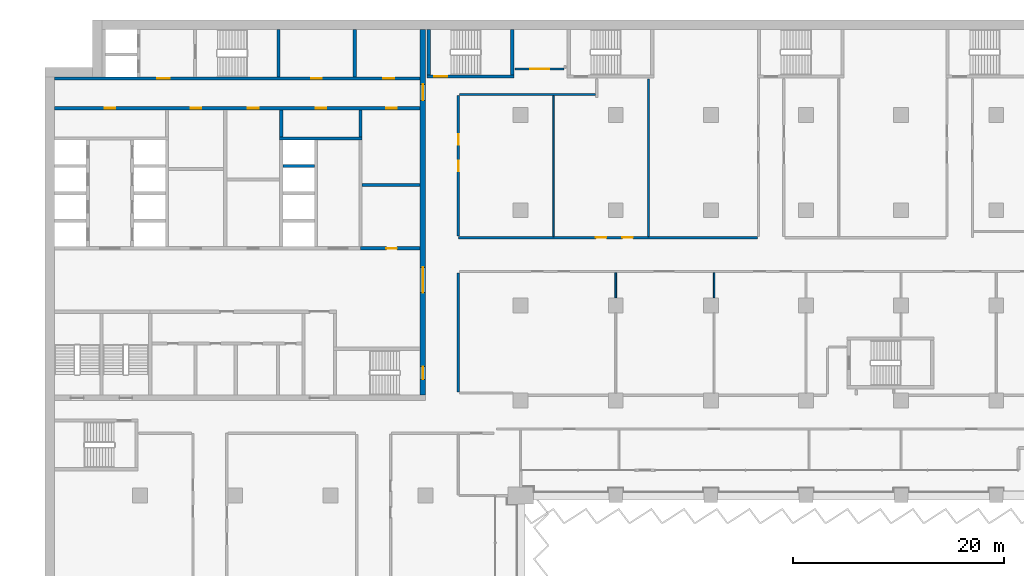
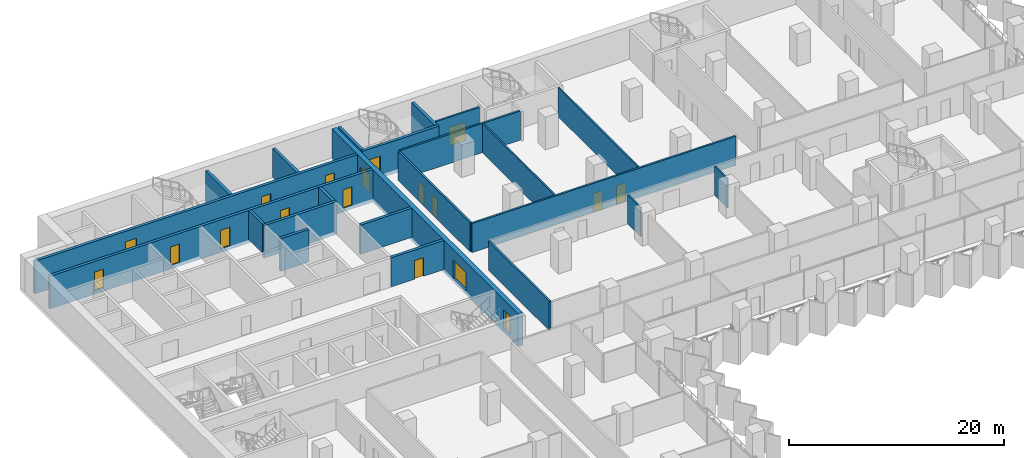
# One storey, part 16 of 29: 23 walls, 18 doors, 18 openings.
"""IFC4 building model written with IfcOpenShell, lengths in metres."""

from ifc_helpers import new_model, si_unit, direction, frame, frame_2d, origin, place, context, subcontext, project, spatial, rectangle, extrude, material, layer, layer_set, type_object, element, fill, save


model = new_model("IFC4")

# Units and contexts
model_context = context("Model", 3, precision=1e-05, world=origin(), true_north=direction((0.0, 1.0)))
body_context = subcontext(model_context, "Body", "Model", "MODEL_VIEW")
ifc_project = project(units=[si_unit("LENGTHUNIT", "METRE"), si_unit("AREAUNIT", "SQUARE_METRE"), si_unit("VOLUMEUNIT", "CUBIC_METRE"), si_unit("PLANEANGLEUNIT", "RADIAN"), si_unit("MASSUNIT", "GRAM", prefix="KILO")], contexts=[model_context])

# Site, building, storey
site_placement = place(None, origin())
site = spatial("IfcSite", under=ifc_project, at=site_placement, CompositionType="ELEMENT")
building_placement = place(site_placement, origin())
building = spatial("IfcBuilding", under=site, at=building_placement, Name="Hunhe Ridgeline Campus", CompositionType="ELEMENT")
storey_placement = place(building_placement, frame((0.0, 0.0, 69.10009765625)))
storey = spatial("IfcBuildingStorey", under=building, at=storey_placement, Name="L16", CompositionType="ELEMENT", Elevation=69.10009765625)

# Wall, opening, door
ifc_material_1 = material(Name="Masonry concrete blockwork", Category="masonry")
ifc_layer_1 = layer(ifc_material_1, 0.300048828125)
ifc_layer_set_1 = layer_set([ifc_layer_1], Name="Core room partition 300 concrete block")
wall_type_1 = type_object("IfcWallType", Name="Core room partition 300 concrete block", PredefinedType="PARTITIONING", material=ifc_layer_set_1)
wall_1_placement = place(storey_placement, frame((29.85009765625, 77.39990234375, 0.0), z_axis=(0.0, 0.0, 1.0), x_axis=(1.0, 0.0, 0.0)))
wall_1 = element("IfcWall", 1, at=wall_1_placement, inside=storey, type_object=wall_type_1, Name="L16 core partition 15", PredefinedType="PARTITIONING", context=body_context, shape_type="SweptSolid", body=[
    extrude(rectangle(XDim=5.64990234375, YDim=0.300048828125, at=frame_2d((2.824951171875, 0.0))), origin(), (0.0, 0.0, 1.0), 3.2998046875),
])
opening_1_placement = place(wall_1_placement, frame((2.449951171875, 0.0, 0.0)))
opening_1 = element("IfcOpeningElement", 2, at=opening_1_placement, cuts=wall_1, Name="Opening CD32", PredefinedType="OPENING", context=body_context, shape_type="SweptSolid", body=[
    extrude(rectangle(XDim=1.0, YDim=2.10009765625, at=frame_2d((0.5, 1.050048828125))), frame((0.0, 0.14990234375, 0.0), z_axis=(0.0, -1.0, 0.0), x_axis=(1.0, 0.0, 0.0)), (0.0, 0.0, 1.0), 0.300048828125),
])
ifc_material_2 = material(Name="Solid core timber door leaf", Category="wood")
door_type_1 = type_object("IfcDoorType", Name="Timber door 1000x2100", OperationType="SINGLE_SWING_LEFT", PredefinedType="DOOR", material=ifc_material_2)
door_1_placement = place(opening_1_placement, origin())
door_1 = element("IfcDoor", 3, at=door_1_placement, inside=storey, type_object=door_type_1, Name="L16 door ES0", OperationType="SINGLE_SWING_RIGHT", OverallHeight=2.10009765625, OverallWidth=1.0, PredefinedType="DOOR", context=body_context, shape_type="SweptSolid", body=[
    extrude(rectangle(XDim=1.0, YDim=2.10009765625, at=frame_2d((0.5, 1.050048828125))), frame((0.0, 0.02490234375, 0.0), z_axis=(0.0, -1.0, 0.0), x_axis=(1.0, 0.0, 0.0)), (0.0, 0.0, 1.0), 0.050048828125),
])
fill(opening_1, door_1)

# Walls
wall_2_placement = place(storey_placement, frame((30.0, 83.39990234375, 0.0), z_axis=(0.0, 0.0, 1.0), x_axis=(1.0, 0.0, 0.0)))
element("IfcWall", 4, at=wall_2_placement, inside=storey, type_object=wall_type_1, Name="L16 core partition 22", PredefinedType="PARTITIONING", context=body_context, shape_type="SweptSolid", body=[
    extrude(rectangle(XDim=5.5, YDim=0.300048828125, at=frame_2d((2.75, 0.0))), origin(), (0.0, 0.0, 1.0), 3.2998046875),
])
wall_3_placement = place(storey_placement, frame((22.35009765625, 87.949951171875, 0.0), z_axis=(0.0, 0.0, 1.0), x_axis=(0.0, 1.0, 0.0)))
element("IfcWall", 5, at=wall_3_placement, inside=storey, type_object=wall_type_1, Name="L16 core partition 55", PredefinedType="PARTITIONING", context=body_context, shape_type="SweptSolid", body=[
    extrude(rectangle(XDim=2.550048828125, YDim=0.300048828125, at=frame_2d((1.27490234375, 0.0))), origin(), (0.0, 0.0, 1.0), 3.2998046875),
])
wall_4_placement = place(storey_placement, frame((29.300048828125, 93.60009765625, 0.0), z_axis=(0.0, 0.0, 1.0), x_axis=(0.0, 1.0, 0.0)))
element("IfcWall", 6, at=wall_4_placement, inside=storey, type_object=wall_type_1, Name="L16 core partition 61", PredefinedType="PARTITIONING", context=body_context, shape_type="SweptSolid", body=[
    extrude(rectangle(XDim=4.5, YDim=0.300048828125, at=frame_2d((2.25, 0.0))), origin(), (0.0, 0.0, 1.0), 3.2998046875),
])
wall_5_placement = place(storey_placement, frame((29.85009765625, 87.949951171875, 0.0), z_axis=(0.0, 0.0, 1.0), x_axis=(0.0, 1.0, 0.0)))
element("IfcWall", 7, at=wall_5_placement, inside=storey, type_object=wall_type_1, Name="L16 core partition 63", PredefinedType="PARTITIONING", context=body_context, shape_type="SweptSolid", body=[
    extrude(rectangle(XDim=2.550048828125, YDim=0.300048828125, at=frame_2d((1.27490234375, 0.0))), origin(), (0.0, 0.0, 1.0), 3.2998046875),
])

# Wall, openings, doors
ifc_material_3 = material(Name="Concrete C80", Category="concrete")
ifc_layer_2 = layer(ifc_material_3, 0.5)
ifc_layer_set_2 = layer_set([ifc_layer_2], Name="Core wall 500 reinforced concrete C80")
wall_type_2 = type_object("IfcWallType", Name="Core wall 500 reinforced concrete C80", PredefinedType="SOLIDWALL", material=ifc_layer_set_2)
wall_6_placement = place(storey_placement, frame((35.75, 63.5, -0.400146484375), z_axis=(0.0, 0.0, 1.0), x_axis=(0.0, 1.0, 0.0)))
wall_6 = element("IfcWall", 8, at=wall_6_placement, inside=storey, type_object=wall_type_2, Name="L16 core wall 64", PredefinedType="SOLIDWALL", context=body_context, shape_type="SweptSolid", body=[
    extrude(rectangle(XDim=34.60009765625, YDim=0.5, at=frame_2d((17.300048828125, 0.0))), origin(), (0.0, 0.0, 1.0), 3.699951171875),
])
opening_2_placement = place(wall_6_placement, frame((9.699951171875, 0.0, 0.39990234375)))
opening_2 = element("IfcOpeningElement", 9, at=opening_2_placement, cuts=wall_6, Name="Opening CD4", PredefinedType="OPENING", context=body_context, shape_type="SweptSolid", body=[
    extrude(rectangle(XDim=2.39990234375, YDim=2.10009765625, at=frame_2d((1.199951171875, 1.050048828125))), frame((0.0, 0.25, 0.0), z_axis=(0.0, -1.0, 0.0), x_axis=(1.0, 0.0, 0.0)), (0.0, 0.0, 1.0), 0.5),
])
opening_3_placement = place(wall_6_placement, frame((27.89990234375, 0.0, 0.39990234375)))
opening_3 = element("IfcOpeningElement", 10, at=opening_3_placement, cuts=wall_6, Name="Opening CD5", PredefinedType="OPENING", context=body_context, shape_type="SweptSolid", body=[
    extrude(rectangle(XDim=1.5, YDim=2.10009765625, at=frame_2d((0.75, 1.050048828125))), frame((0.0, 0.25, 0.0), z_axis=(0.0, -1.0, 0.0), x_axis=(1.0, 0.0, 0.0)), (0.0, 0.0, 1.0), 0.5),
])
opening_4_placement = place(wall_6_placement, frame((1.5, 0.0, 0.39990234375)))
opening_4 = element("IfcOpeningElement", 11, at=opening_4_placement, cuts=wall_6, Name="Opening CD15", PredefinedType="OPENING", context=body_context, shape_type="SweptSolid", body=[
    extrude(rectangle(XDim=1.199951171875, YDim=2.10009765625, at=frame_2d((0.60009765625, 1.050048828125))), frame((0.0, 0.25, 0.0), z_axis=(0.0, -1.0, 0.0), x_axis=(1.0, 0.0, 0.0)), (0.0, 0.0, 1.0), 0.5),
])
ifc_material_4 = material(Name="Anodised aluminium and glass", Category="aluminium")
door_type_2 = type_object("IfcDoorType", Name="Glazed double door 2400x2100", OperationType="DOUBLE_DOOR_SINGLE_SWING", PredefinedType="DOOR", material=ifc_material_4)
door_2_placement = place(opening_2_placement, frame((2.39990234375, 0.0, 0.0), z_axis=(0.0, 0.0, 1.0), x_axis=(-1.0, 0.0, 0.0)))
door_2 = element("IfcDoor", 12, at=door_2_placement, inside=storey, type_object=door_type_2, Name="L16 door HALL-FLOOR", OperationType="DOUBLE_DOOR_SINGLE_SWING", OverallHeight=2.10009765625, OverallWidth=2.39990234375, PredefinedType="DOOR", context=body_context, shape_type="SweptSolid", body=[
    extrude(rectangle(XDim=2.39990234375, YDim=2.10009765625, at=frame_2d((1.199951171875, 1.050048828125))), frame((0.0, 0.02490234375, 0.0), z_axis=(0.0, -1.0, 0.0), x_axis=(1.0, 0.0, 0.0)), (0.0, 0.0, 1.0), 0.050048828125),
])
fill(opening_2, door_2)
ifc_material_5 = material(Name="Hollow metal fire door leaf")
door_type_3 = type_object("IfcDoorType", Name="Stair door 1200x2100 FD60", OperationType="SINGLE_SWING_LEFT", PredefinedType="DOOR", material=ifc_material_5)
door_3_placement = place(opening_4_placement, frame((1.199951171875, 0.0, 0.0), z_axis=(0.0, 0.0, 1.0), x_axis=(-1.0, 0.0, 0.0)))
door_3 = element("IfcDoor", 13, at=door_3_placement, inside=storey, type_object=door_type_3, Name="L16 door S2-FLOOR", OperationType="SINGLE_SWING_RIGHT", OverallHeight=2.10009765625, OverallWidth=1.199951171875, PredefinedType="DOOR", context=body_context, shape_type="SweptSolid", body=[
    extrude(rectangle(XDim=1.199951171875, YDim=2.10009765625, at=frame_2d((0.60009765625, 1.050048828125))), frame((0.0, 0.02490234375, 0.0), z_axis=(0.0, -1.0, 0.0), x_axis=(1.0, 0.0, 0.0)), (0.0, 0.0, 1.0), 0.050048828125),
])
fill(opening_4, door_3)
door_type_4 = type_object("IfcDoorType", Name="Timber door 1500x2100", OperationType="SINGLE_SWING_LEFT", PredefinedType="DOOR", material=ifc_material_2)
door_4_placement = place(opening_3_placement, frame((1.5, 0.0, 0.0), z_axis=(0.0, 0.0, 1.0), x_axis=(-1.0, 0.0, 0.0)))
door_4 = element("IfcDoor", 14, at=door_4_placement, inside=storey, type_object=door_type_4, Name="L16 door C1-FLOOR", OperationType="SINGLE_SWING_RIGHT", OverallHeight=2.10009765625, OverallWidth=1.5, PredefinedType="DOOR", context=body_context, shape_type="SweptSolid", body=[
    extrude(rectangle(XDim=1.5, YDim=2.10009765625, at=frame_2d((0.75, 1.050048828125))), frame((0.0, 0.02490234375, 0.0), z_axis=(0.0, -1.0, 0.0), x_axis=(1.0, 0.0, 0.0)), (0.0, 0.0, 1.0), 0.050048828125),
])
fill(opening_3, door_4)

ifc_material_6 = material(Name="Gypsum board partition")
ifc_layer_3 = layer(ifc_material_6, 0.199951171875)
ifc_layer_set_3 = layer_set([ifc_layer_3], Name="Corridor partition 200 gypsum board on steel studs")
wall_type_3 = type_object("IfcWallType", Name="Corridor partition 200 gypsum board on steel studs", PredefinedType="PARTITIONING", material=ifc_layer_set_3)
wall_7_placement = place(storey_placement, frame((39.10009765625, 78.39990234375, 0.0), z_axis=(0.0, 0.0, 1.0), x_axis=(1.0, 0.0, 0.0)))
wall_7 = element("IfcWall", 15, at=wall_7_placement, inside=storey, type_object=wall_type_3, Name="F-L16-wall-044", PredefinedType="PARTITIONING", context=body_context, shape_type="SweptSolid", body=[
    extrude(rectangle(XDim=28.2998046875, YDim=0.199951171875, at=frame_2d((14.14990234375, 0.0))), origin(), (0.0, 0.0, 1.0), 3.2998046875),
])
opening_5_placement = place(wall_7_placement, frame((13.02392578125, 0.0, 0.0)))
opening_5 = element("IfcOpeningElement", 16, at=opening_5_placement, cuts=wall_7, Name="Opening RD1-036", PredefinedType="OPENING", context=body_context, shape_type="SweptSolid", body=[
    extrude(rectangle(XDim=1.0, YDim=2.10009765625, at=frame_2d((0.5, 1.050048828125))), frame((0.0, 0.10009765625, 0.0), z_axis=(0.0, -1.0, 0.0), x_axis=(1.0, 0.0, 0.0)), (0.0, 0.0, 1.0), 0.199951171875),
])
opening_6_placement = place(wall_7_placement, frame((15.52392578125, 0.0, 0.0)))
opening_6 = element("IfcOpeningElement", 17, at=opening_6_placement, cuts=wall_7, Name="Opening RD1-037", PredefinedType="OPENING", context=body_context, shape_type="SweptSolid", body=[
    extrude(rectangle(XDim=1.0, YDim=2.10009765625, at=frame_2d((0.5, 1.050048828125))), frame((0.0, 0.10009765625, 0.0), z_axis=(0.0, -1.0, 0.0), x_axis=(1.0, 0.0, 0.0)), (0.0, 0.0, 1.0), 0.199951171875),
])
ifc_material_7 = material(Name="Timber door leaf", Category="wood")
door_type_5 = type_object("IfcDoorType", Name="Single fire door 1000x2100 timber FD60", OperationType="NOTDEFINED", PredefinedType="DOOR", material=ifc_material_7)
door_5_placement = place(opening_5_placement, frame((1.0, 0.0, 0.0), z_axis=(0.0, 0.0, 1.0), x_axis=(-1.0, 0.0, 0.0)))
door_5 = element("IfcDoor", 18, at=door_5_placement, inside=storey, type_object=door_type_5, Name="F-L16-door-036", OperationType="SINGLE_SWING_LEFT", OverallHeight=2.10009765625, OverallWidth=1.0, PredefinedType="DOOR", context=body_context, shape_type="SweptSolid", body=[
    extrude(rectangle(XDim=1.0, YDim=2.10009765625, at=frame_2d((0.5, 1.050048828125))), frame((0.0, 0.02490234375, 0.0), z_axis=(0.0, -1.0, 0.0), x_axis=(1.0, 0.0, 0.0)), (0.0, 0.0, 1.0), 0.050048828125),
])
fill(opening_5, door_5)
door_6_placement = place(opening_6_placement, frame((1.0, 0.0, 0.0), z_axis=(0.0, 0.0, 1.0), x_axis=(-1.0, 0.0, 0.0)))
door_6 = element("IfcDoor", 19, at=door_6_placement, inside=storey, type_object=door_type_5, Name="F-L16-door-037", OperationType="SINGLE_SWING_LEFT", OverallHeight=2.10009765625, OverallWidth=1.0, PredefinedType="DOOR", context=body_context, shape_type="SweptSolid", body=[
    extrude(rectangle(XDim=1.0, YDim=2.10009765625, at=frame_2d((0.5, 1.050048828125))), frame((0.0, 0.02490234375, 0.0), z_axis=(0.0, -1.0, 0.0), x_axis=(1.0, 0.0, 0.0)), (0.0, 0.0, 1.0), 0.050048828125),
])
fill(opening_6, door_6)

# Wall
wall_8_placement = place(storey_placement, frame((52.10009765625, 91.949951171875, 0.0), z_axis=(0.0, 0.0, 1.0), x_axis=(-1.0, 0.0, 0.0)))
element("IfcWall", 20, at=wall_8_placement, inside=storey, type_object=wall_type_3, Name="F-L16-wall-048", PredefinedType="PARTITIONING", context=body_context, shape_type="SweptSolid", body=[
    extrude(rectangle(XDim=12.900146484375, YDim=0.199951171875, at=frame_2d((6.4501953125, 0.0))), origin(), (0.0, 0.0, 1.0), 3.2998046875),
])

# Wall, opening, door
wall_9_placement = place(storey_placement, frame((44.4541015625, 94.35009765625, 0.0), z_axis=(0.0, 0.0, 1.0), x_axis=(1.0, 0.0, 0.0)))
wall_9 = element("IfcWall", 21, at=wall_9_placement, inside=storey, type_object=wall_type_3, Name="F-L16-wall-049", PredefinedType="PARTITIONING", context=body_context, shape_type="SweptSolid", body=[
    extrude(rectangle(XDim=4.6708984375, YDim=0.199951171875, at=frame_2d((2.33544921875, 0.0))), origin(), (0.0, 0.0, 1.0), 3.2998046875),
])
opening_7_placement = place(wall_9_placement, frame((1.435546875, 0.0, 0.0)))
opening_7 = element("IfcOpeningElement", 22, at=opening_7_placement, cuts=wall_9, Name="Opening RD2-048", PredefinedType="OPENING", context=body_context, shape_type="SweptSolid", body=[
    extrude(rectangle(XDim=1.800048828125, YDim=2.10009765625, at=frame_2d((0.89990234375, 1.050048828125))), frame((0.0, 0.10009765625, 0.0), z_axis=(0.0, -1.0, 0.0), x_axis=(1.0, 0.0, 0.0)), (0.0, 0.0, 1.0), 0.199951171875),
])
door_type_6 = type_object("IfcDoorType", Name="Double fire door 1800x2100 timber FD60", OperationType="DOUBLE_DOOR_SINGLE_SWING", PredefinedType="DOOR", material=ifc_material_7)
door_7_placement = place(opening_7_placement, origin())
door_7 = element("IfcDoor", 23, at=door_7_placement, inside=storey, type_object=door_type_6, Name="F-L16-door-048", OperationType="DOUBLE_DOOR_SINGLE_SWING", OverallHeight=2.10009765625, OverallWidth=1.800048828125, PredefinedType="DOOR", context=body_context, shape_type="SweptSolid", body=[
    extrude(rectangle(XDim=1.800048828125, YDim=2.10009765625, at=frame_2d((0.89990234375, 1.050048828125))), frame((0.0, 0.02490234375, 0.0), z_axis=(0.0, -1.0, 0.0), x_axis=(1.0, 0.0, 0.0)), (0.0, 0.0, 1.0), 0.050048828125),
])
fill(opening_7, door_7)

# Wall
wall_10_placement = place(storey_placement, frame((39.10009765625, 75.08349609375, 0.0), z_axis=(0.0, 0.0, 1.0), x_axis=(0.0, -1.0, 0.0)))
element("IfcWall", 24, at=wall_10_placement, inside=storey, type_object=wall_type_3, Name="F-L16-wall-059", PredefinedType="PARTITIONING", context=body_context, shape_type="SweptSolid", body=[
    extrude(rectangle(XDim=11.283447265625, YDim=0.199951171875, at=frame_2d((5.6416015625, 0.0))), origin(), (0.0, 0.0, 1.0), 3.2998046875),
])

# Wall, openings, doors
wall_11_placement = place(storey_placement, frame((39.10009765625, 91.85009765625, 0.0), z_axis=(0.0, 0.0, 1.0), x_axis=(0.0, -1.0, 0.0)))
wall_11 = element("IfcWall", 25, at=wall_11_placement, inside=storey, type_object=wall_type_3, Name="F-L16-wall-060", PredefinedType="PARTITIONING", context=body_context, shape_type="SweptSolid", body=[
    extrude(rectangle(XDim=13.302001953125, YDim=0.199951171875, at=frame_2d((6.65087890625, 0.0))), origin(), (0.0, 0.0, 1.0), 3.2998046875),
])
opening_8_placement = place(wall_11_placement, frame((6.15087890625, 0.0, 0.0)))
opening_8 = element("IfcOpeningElement", 26, at=opening_8_placement, cuts=wall_11, Name="Opening RD1-038", PredefinedType="OPENING", context=body_context, shape_type="SweptSolid", body=[
    extrude(rectangle(XDim=1.0, YDim=2.10009765625, at=frame_2d((0.5, 1.050048828125))), frame((0.0, 0.10009765625, 0.0), z_axis=(0.0, -1.0, 0.0), x_axis=(1.0, 0.0, 0.0)), (0.0, 0.0, 1.0), 0.199951171875),
])
opening_9_placement = place(wall_11_placement, frame((3.65087890625, 0.0, 0.0)))
opening_9 = element("IfcOpeningElement", 27, at=opening_9_placement, cuts=wall_11, Name="Opening RD1-043", PredefinedType="OPENING", context=body_context, shape_type="SweptSolid", body=[
    extrude(rectangle(XDim=1.0, YDim=2.10009765625, at=frame_2d((0.5, 1.050048828125))), frame((0.0, 0.10009765625, 0.0), z_axis=(0.0, -1.0, 0.0), x_axis=(1.0, 0.0, 0.0)), (0.0, 0.0, 1.0), 0.199951171875),
])
door_8_placement = place(opening_8_placement, frame((1.0, 0.0, 0.0), z_axis=(0.0, 0.0, 1.0), x_axis=(-1.0, 0.0, 0.0)))
door_8 = element("IfcDoor", 28, at=door_8_placement, inside=storey, type_object=door_type_5, Name="F-L16-door-038", OperationType="SINGLE_SWING_RIGHT", OverallHeight=2.10009765625, OverallWidth=1.0, PredefinedType="DOOR", context=body_context, shape_type="SweptSolid", body=[
    extrude(rectangle(XDim=1.0, YDim=2.10009765625, at=frame_2d((0.5, 1.050048828125))), frame((0.0, 0.02490234375, 0.0), z_axis=(0.0, -1.0, 0.0), x_axis=(1.0, 0.0, 0.0)), (0.0, 0.0, 1.0), 0.050048828125),
])
fill(opening_8, door_8)
door_9_placement = place(opening_9_placement, frame((1.0, 0.0, 0.0), z_axis=(0.0, 0.0, 1.0), x_axis=(-1.0, 0.0, 0.0)))
door_9 = element("IfcDoor", 29, at=door_9_placement, inside=storey, type_object=door_type_5, Name="F-L16-door-043", OperationType="SINGLE_SWING_RIGHT", OverallHeight=2.10009765625, OverallWidth=1.0, PredefinedType="DOOR", context=body_context, shape_type="SweptSolid", body=[
    extrude(rectangle(XDim=1.0, YDim=2.10009765625, at=frame_2d((0.5, 1.050048828125))), frame((0.0, 0.02490234375, 0.0), z_axis=(0.0, -1.0, 0.0), x_axis=(1.0, 0.0, 0.0)), (0.0, 0.0, 1.0), 0.050048828125),
])
fill(opening_9, door_9)

ifc_layer_4 = layer(ifc_material_3, 0.300048828125)
ifc_layer_set_4 = layer_set([ifc_layer_4], Name="Lobby wall 300 reinforced concrete C80")
wall_type_4 = type_object("IfcWallType", Name="Lobby wall 300 reinforced concrete C80", PredefinedType="SOLIDWALL", material=ifc_layer_set_4)
wall_12_placement = place(storey_placement, frame((0.89990234375, 90.64990234375, -0.400146484375), z_axis=(0.0, 0.0, 1.0), x_axis=(1.0, 0.0, 0.0)))
wall_12 = element("IfcWall", 30, at=wall_12_placement, inside=storey, type_object=wall_type_4, Name="L16 core wall 30", PredefinedType="SOLIDWALL", context=body_context, shape_type="SweptSolid", body=[
    extrude(rectangle(XDim=34.60009765625, YDim=0.300048828125, at=frame_2d((17.300048828125, 0.0))), origin(), (0.0, 0.0, 1.0), 3.699951171875),
])
opening_10_placement = place(wall_12_placement, frame((4.75, 0.0, 0.39990234375)))
opening_10 = element("IfcOpeningElement", 31, at=opening_10_placement, cuts=wall_12, Name="Opening CD26", PredefinedType="OPENING", context=body_context, shape_type="SweptSolid", body=[
    extrude(rectangle(XDim=1.0, YDim=2.10009765625, at=frame_2d((0.5, 1.050048828125))), frame((0.0, 0.14990234375, 0.0), z_axis=(0.0, -1.0, 0.0), x_axis=(1.0, 0.0, 0.0)), (0.0, 0.0, 1.0), 0.300048828125),
])
opening_11_placement = place(wall_12_placement, frame((24.699951171875, 0.0, 0.39990234375)))
opening_11 = element("IfcOpeningElement", 32, at=opening_11_placement, cuts=wall_12, Name="Opening CD27", PredefinedType="OPENING", context=body_context, shape_type="SweptSolid", body=[
    extrude(rectangle(XDim=1.0, YDim=2.10009765625, at=frame_2d((0.5, 1.050048828125))), frame((0.0, 0.14990234375, 0.0), z_axis=(0.0, -1.0, 0.0), x_axis=(1.0, 0.0, 0.0)), (0.0, 0.0, 1.0), 0.300048828125),
])
opening_12_placement = place(wall_12_placement, frame((12.89990234375, 0.0, 0.39990234375)))
opening_12 = element("IfcOpeningElement", 33, at=opening_12_placement, cuts=wall_12, Name="Opening CD29", PredefinedType="OPENING", context=body_context, shape_type="SweptSolid", body=[
    extrude(rectangle(XDim=1.0, YDim=2.10009765625, at=frame_2d((0.5, 1.050048828125))), frame((0.0, 0.14990234375, 0.0), z_axis=(0.0, -1.0, 0.0), x_axis=(1.0, 0.0, 0.0)), (0.0, 0.0, 1.0), 0.300048828125),
])
opening_13_placement = place(wall_12_placement, frame((18.300048828125, 0.0, 0.39990234375)))
opening_13 = element("IfcOpeningElement", 34, at=opening_13_placement, cuts=wall_12, Name="Opening CD31", PredefinedType="OPENING", context=body_context, shape_type="SweptSolid", body=[
    extrude(rectangle(XDim=1.0, YDim=2.10009765625, at=frame_2d((0.5, 1.050048828125))), frame((0.0, 0.14990234375, 0.0), z_axis=(0.0, -1.0, 0.0), x_axis=(1.0, 0.0, 0.0)), (0.0, 0.0, 1.0), 0.300048828125),
])
opening_14_placement = place(wall_12_placement, frame((31.39990234375, 0.0, 0.39990234375)))
opening_14 = element("IfcOpeningElement", 35, at=opening_14_placement, cuts=wall_12, Name="Opening CD33", PredefinedType="OPENING", context=body_context, shape_type="SweptSolid", body=[
    extrude(rectangle(XDim=1.0, YDim=2.10009765625, at=frame_2d((0.5, 1.050048828125))), frame((0.0, 0.14990234375, 0.0), z_axis=(0.0, -1.0, 0.0), x_axis=(1.0, 0.0, 0.0)), (0.0, 0.0, 1.0), 0.300048828125),
])
door_10_placement = place(opening_10_placement, frame((1.0, 0.0, 0.0), z_axis=(0.0, 0.0, 1.0), x_axis=(-1.0, 0.0, 0.0)))
door_10 = element("IfcDoor", 36, at=door_10_placement, inside=storey, type_object=door_type_1, Name="L16 door NR-0", OperationType="SINGLE_SWING_RIGHT", OverallHeight=2.10009765625, OverallWidth=1.0, PredefinedType="DOOR", context=body_context, shape_type="SweptSolid", body=[
    extrude(rectangle(XDim=1.0, YDim=2.10009765625, at=frame_2d((0.5, 1.050048828125))), frame((0.0, 0.02490234375, 0.0), z_axis=(0.0, -1.0, 0.0), x_axis=(1.0, 0.0, 0.0)), (0.0, 0.0, 1.0), 0.050048828125),
])
fill(opening_10, door_10)
door_11_placement = place(opening_11_placement, frame((1.0, 0.0, 0.0), z_axis=(0.0, 0.0, 1.0), x_axis=(-1.0, 0.0, 0.0)))
door_11 = element("IfcDoor", 37, at=door_11_placement, inside=storey, type_object=door_type_1, Name="L16 door NR-1", OperationType="SINGLE_SWING_LEFT", OverallHeight=2.10009765625, OverallWidth=1.0, PredefinedType="DOOR", context=body_context, shape_type="SweptSolid", body=[
    extrude(rectangle(XDim=1.0, YDim=2.10009765625, at=frame_2d((0.5, 1.050048828125))), frame((0.0, 0.02490234375, 0.0), z_axis=(0.0, -1.0, 0.0), x_axis=(1.0, 0.0, 0.0)), (0.0, 0.0, 1.0), 0.050048828125),
])
fill(opening_11, door_11)
door_12_placement = place(opening_12_placement, frame((1.0, 0.0, 0.0), z_axis=(0.0, 0.0, 1.0), x_axis=(-1.0, 0.0, 0.0)))
door_12 = element("IfcDoor", 38, at=door_12_placement, inside=storey, type_object=door_type_1, Name="L16 door VD-HR1", OperationType="SINGLE_SWING_LEFT", OverallHeight=2.10009765625, OverallWidth=1.0, PredefinedType="DOOR", context=body_context, shape_type="SweptSolid", body=[
    extrude(rectangle(XDim=1.0, YDim=2.10009765625, at=frame_2d((0.5, 1.050048828125))), frame((0.0, 0.02490234375, 0.0), z_axis=(0.0, -1.0, 0.0), x_axis=(1.0, 0.0, 0.0)), (0.0, 0.0, 1.0), 0.050048828125),
])
fill(opening_12, door_12)
door_13_placement = place(opening_13_placement, frame((1.0, 0.0, 0.0), z_axis=(0.0, 0.0, 1.0), x_axis=(-1.0, 0.0, 0.0)))
door_13 = element("IfcDoor", 39, at=door_13_placement, inside=storey, type_object=door_type_1, Name="L16 door VD-HR3", OperationType="SINGLE_SWING_LEFT", OverallHeight=2.10009765625, OverallWidth=1.0, PredefinedType="DOOR", context=body_context, shape_type="SweptSolid", body=[
    extrude(rectangle(XDim=1.0, YDim=2.10009765625, at=frame_2d((0.5, 1.050048828125))), frame((0.0, 0.02490234375, 0.0), z_axis=(0.0, -1.0, 0.0), x_axis=(1.0, 0.0, 0.0)), (0.0, 0.0, 1.0), 0.050048828125),
])
fill(opening_13, door_13)
door_14_placement = place(opening_14_placement, frame((1.0, 0.0, 0.0), z_axis=(0.0, 0.0, 1.0), x_axis=(-1.0, 0.0, 0.0)))
door_14 = element("IfcDoor", 40, at=door_14_placement, inside=storey, type_object=door_type_1, Name="L16 door ES1", OperationType="SINGLE_SWING_RIGHT", OverallHeight=2.10009765625, OverallWidth=1.0, PredefinedType="DOOR", context=body_context, shape_type="SweptSolid", body=[
    extrude(rectangle(XDim=1.0, YDim=2.10009765625, at=frame_2d((0.5, 1.050048828125))), frame((0.0, 0.02490234375, 0.0), z_axis=(0.0, -1.0, 0.0), x_axis=(1.0, 0.0, 0.0)), (0.0, 0.0, 1.0), 0.050048828125),
])
fill(opening_14, door_14)

# Walls
ifc_layer_5 = layer(ifc_material_6, 0.14990234375)
ifc_layer_set_5 = layer_set([ifc_layer_5], Name="Room partition 150 gypsum board on steel studs")
wall_type_5 = type_object("IfcWallType", Name="Room partition 150 gypsum board on steel studs", PredefinedType="PARTITIONING", material=ifc_layer_set_5)
wall_13_placement = place(storey_placement, frame((48.10009765625, 91.85009765625, 0.0), z_axis=(0.0, 0.0, 1.0), x_axis=(0.0, -1.0, 0.0)))
element("IfcWall", 41, at=wall_13_placement, inside=storey, type_object=wall_type_5, Name="F-L16-wall-062", PredefinedType="PARTITIONING", context=body_context, shape_type="SweptSolid", body=[
    extrude(rectangle(XDim=13.35009765625, YDim=0.14990234375, at=frame_2d((6.675048828125, 0.0))), origin(), (0.0, 0.0, 1.0), 3.2998046875),
])
wall_14_placement = place(storey_placement, frame((54.0, 75.10009765625, 0.0), z_axis=(0.0, 0.0, 1.0), x_axis=(0.0, -1.0, 0.0)))
element("IfcWall", 42, at=wall_14_placement, inside=storey, type_object=wall_type_5, Name="F-L16-wall-066", PredefinedType="PARTITIONING", context=body_context, shape_type="SweptSolid", body=[
    extrude(rectangle(XDim=2.400146484375, YDim=0.14990234375, at=frame_2d((1.2001953125, 0.0))), origin(), (0.0, 0.0, 1.0), 3.2998046875),
])
wall_15_placement = place(storey_placement, frame((57.10009765625, 93.39599609375, 0.0), z_axis=(0.0, 0.0, 1.0), x_axis=(0.0, -1.0, 0.0)))
element("IfcWall", 43, at=wall_15_placement, inside=storey, type_object=wall_type_5, Name="F-L16-wall-068", PredefinedType="PARTITIONING", context=body_context, shape_type="SweptSolid", body=[
    extrude(rectangle(XDim=14.89599609375, YDim=0.14990234375, at=frame_2d((7.447998046875, 0.0))), origin(), (0.0, 0.0, 1.0), 3.2998046875),
])
wall_16_placement = place(storey_placement, frame((63.300048828125, 75.10009765625, 0.0), z_axis=(0.0, 0.0, 1.0), x_axis=(0.0, -1.0, 0.0)))
element("IfcWall", 44, at=wall_16_placement, inside=storey, type_object=wall_type_5, Name="F-L16-wall-070", PredefinedType="PARTITIONING", context=body_context, shape_type="SweptSolid", body=[
    extrude(rectangle(XDim=2.400146484375, YDim=0.14990234375, at=frame_2d((1.2001953125, 0.0))), origin(), (0.0, 0.0, 1.0), 3.2998046875),
])
ifc_layer_6 = layer(ifc_material_3, 0.300048828125)
ifc_layer_set_6 = layer_set([ifc_layer_6], Name="Shaft wall 300 reinforced concrete C80")
wall_type_6 = type_object("IfcWallType", Name="Shaft wall 300 reinforced concrete C80", PredefinedType="SOLIDWALL", material=ifc_layer_set_6)
wall_17_placement = place(storey_placement, frame((22.5, 85.199951171875, -0.400146484375), z_axis=(0.0, 0.0, 1.0), x_axis=(1.0, 0.0, 0.0)))
element("IfcWall", 45, at=wall_17_placement, inside=storey, type_object=wall_type_6, Name="L16 core wall 27", PredefinedType="SOLIDWALL", context=body_context, shape_type="SweptSolid", body=[
    extrude(rectangle(XDim=3.0, YDim=0.300048828125, at=frame_2d((1.5, 0.0))), origin(), (0.0, 0.0, 1.0), 3.699951171875),
])
wall_18_placement = place(storey_placement, frame((22.199951171875, 87.800048828125, -0.400146484375), z_axis=(0.0, 0.0, 1.0), x_axis=(1.0, 0.0, 0.0)))
element("IfcWall", 46, at=wall_18_placement, inside=storey, type_object=wall_type_6, Name="L16 core wall 29", PredefinedType="SOLIDWALL", context=body_context, shape_type="SweptSolid", body=[
    extrude(rectangle(XDim=7.800048828125, YDim=0.300048828125, at=frame_2d((3.89990234375, 0.0))), origin(), (0.0, 0.0, 1.0), 3.699951171875),
])

# Wall, openings, doors
wall_19_placement = place(storey_placement, frame((0.89990234375, 93.449951171875, -0.400146484375), z_axis=(0.0, 0.0, 1.0), x_axis=(1.0, 0.0, 0.0)))
wall_19 = element("IfcWall", 47, at=wall_19_placement, inside=storey, type_object=wall_type_6, Name="L16 core wall 31", PredefinedType="SOLIDWALL", context=body_context, shape_type="SweptSolid", body=[
    extrude(rectangle(XDim=34.60009765625, YDim=0.300048828125, at=frame_2d((17.300048828125, 0.0))), origin(), (0.0, 0.0, 1.0), 3.699951171875),
])
opening_15_placement = place(wall_19_placement, frame((9.699951171875, 0.0, 0.39990234375)))
opening_15 = element("IfcOpeningElement", 48, at=opening_15_placement, cuts=wall_19, Name="Opening CD3", PredefinedType="OPENING", context=body_context, shape_type="SweptSolid", body=[
    extrude(rectangle(XDim=1.199951171875, YDim=2.10009765625, at=frame_2d((0.60009765625, 1.050048828125))), frame((0.0, 0.14990234375, 0.0), z_axis=(0.0, -1.0, 0.0), x_axis=(1.0, 0.0, 0.0)), (0.0, 0.0, 1.0), 0.300048828125),
])
opening_16_placement = place(wall_19_placement, frame((24.300048828125, 0.0, 0.39990234375)))
opening_16 = element("IfcOpeningElement", 49, at=opening_16_placement, cuts=wall_19, Name="Opening CD34", PredefinedType="OPENING", context=body_context, shape_type="SweptSolid", body=[
    extrude(rectangle(XDim=1.0, YDim=2.10009765625, at=frame_2d((0.5, 1.050048828125))), frame((0.0, 0.14990234375, 0.0), z_axis=(0.0, -1.0, 0.0), x_axis=(1.0, 0.0, 0.0)), (0.0, 0.0, 1.0), 0.300048828125),
])
opening_17_placement = place(wall_19_placement, frame((31.125, 0.0, 0.39990234375)))
opening_17 = element("IfcOpeningElement", 50, at=opening_17_placement, cuts=wall_19, Name="Opening CD35", PredefinedType="OPENING", context=body_context, shape_type="SweptSolid", body=[
    extrude(rectangle(XDim=1.0, YDim=2.10009765625, at=frame_2d((0.5, 1.050048828125))), frame((0.0, 0.14990234375, 0.0), z_axis=(0.0, -1.0, 0.0), x_axis=(1.0, 0.0, 0.0)), (0.0, 0.0, 1.0), 0.300048828125),
])
door_type_7 = type_object("IfcDoorType", Name="Lobby door 1200x2100 FD60", OperationType="SINGLE_SWING_LEFT", PredefinedType="DOOR", material=ifc_material_5)
door_15_placement = place(opening_15_placement, frame((1.199951171875, 0.0, 0.0), z_axis=(0.0, 0.0, 1.0), x_axis=(-1.0, 0.0, 0.0)))
door_15 = element("IfcDoor", 51, at=door_15_placement, inside=storey, type_object=door_type_7, Name="L16 door FF-C1", OperationType="SINGLE_SWING_LEFT", OverallHeight=2.10009765625, OverallWidth=1.199951171875, PredefinedType="DOOR", context=body_context, shape_type="SweptSolid", body=[
    extrude(rectangle(XDim=1.199951171875, YDim=2.10009765625, at=frame_2d((0.60009765625, 1.050048828125))), frame((0.0, 0.02490234375, 0.0), z_axis=(0.0, -1.0, 0.0), x_axis=(1.0, 0.0, 0.0)), (0.0, 0.0, 1.0), 0.050048828125),
])
fill(opening_15, door_15)
door_16_placement = place(opening_16_placement, origin())
door_16 = element("IfcDoor", 52, at=door_16_placement, inside=storey, type_object=door_type_1, Name="L16 door NB0", OperationType="SINGLE_SWING_RIGHT", OverallHeight=2.10009765625, OverallWidth=1.0, PredefinedType="DOOR", context=body_context, shape_type="SweptSolid", body=[
    extrude(rectangle(XDim=1.0, YDim=2.10009765625, at=frame_2d((0.5, 1.050048828125))), frame((0.0, 0.02490234375, 0.0), z_axis=(0.0, -1.0, 0.0), x_axis=(1.0, 0.0, 0.0)), (0.0, 0.0, 1.0), 0.050048828125),
])
fill(opening_16, door_16)
door_17_placement = place(opening_17_placement, origin())
door_17 = element("IfcDoor", 53, at=door_17_placement, inside=storey, type_object=door_type_1, Name="L16 door NB1", OperationType="SINGLE_SWING_LEFT", OverallHeight=2.10009765625, OverallWidth=1.0, PredefinedType="DOOR", context=body_context, shape_type="SweptSolid", body=[
    extrude(rectangle(XDim=1.0, YDim=2.10009765625, at=frame_2d((0.5, 1.050048828125))), frame((0.0, 0.02490234375, 0.0), z_axis=(0.0, -1.0, 0.0), x_axis=(1.0, 0.0, 0.0)), (0.0, 0.0, 1.0), 0.050048828125),
])
fill(opening_17, door_17)

# Wall, opening, door
ifc_layer_7 = layer(ifc_material_3, 0.300048828125)
ifc_layer_set_7 = layer_set([ifc_layer_7], Name="Stair wall 300 reinforced concrete C80")
wall_type_7 = type_object("IfcWallType", Name="Stair wall 300 reinforced concrete C80", PredefinedType="SOLIDWALL", material=ifc_layer_set_7)
wall_20_placement = place(storey_placement, frame((36.14990234375, 93.64990234375, -0.400146484375), z_axis=(0.0, 0.0, 1.0), x_axis=(1.0, 0.0, 0.0)))
wall_20 = element("IfcWall", 54, at=wall_20_placement, inside=storey, type_object=wall_type_7, Name="L16 core wall 32", PredefinedType="SOLIDWALL", context=body_context, shape_type="SweptSolid", body=[
    extrude(rectangle(XDim=8.2001953125, YDim=0.300048828125, at=frame_2d((4.10009765625, 0.0))), origin(), (0.0, 0.0, 1.0), 3.699951171875),
])
opening_18_placement = place(wall_20_placement, frame((0.699951171875, 0.0, 0.39990234375)))
opening_18 = element("IfcOpeningElement", 55, at=opening_18_placement, cuts=wall_20, Name="Opening CD17", PredefinedType="OPENING", context=body_context, shape_type="SweptSolid", body=[
    extrude(rectangle(XDim=1.199951171875, YDim=2.10009765625, at=frame_2d((0.60009765625, 1.050048828125))), frame((0.0, 0.14990234375, 0.0), z_axis=(0.0, -1.0, 0.0), x_axis=(1.0, 0.0, 0.0)), (0.0, 0.0, 1.0), 0.300048828125),
])
door_18_placement = place(opening_18_placement, frame((1.199951171875, 0.0, 0.0), z_axis=(0.0, 0.0, 1.0), x_axis=(-1.0, 0.0, 0.0)))
door_18 = element("IfcDoor", 56, at=door_18_placement, inside=storey, type_object=door_type_3, Name="L16 door E1", OperationType="SINGLE_SWING_RIGHT", OverallHeight=2.10009765625, OverallWidth=1.199951171875, PredefinedType="DOOR", context=body_context, shape_type="SweptSolid", body=[
    extrude(rectangle(XDim=1.199951171875, YDim=2.10009765625, at=frame_2d((0.60009765625, 1.050048828125))), frame((0.0, 0.02490234375, 0.0), z_axis=(0.0, -1.0, 0.0), x_axis=(1.0, 0.0, 0.0)), (0.0, 0.0, 1.0), 0.050048828125),
])
fill(opening_18, door_18)

# Walls
wall_21_placement = place(storey_placement, frame((22.10009765625, 93.60009765625, -0.400146484375), z_axis=(0.0, 0.0, 1.0), x_axis=(0.0, 1.0, 0.0)))
element("IfcWall", 57, at=wall_21_placement, inside=storey, type_object=wall_type_7, Name="L16 core wall 53", PredefinedType="SOLIDWALL", context=body_context, shape_type="SweptSolid", body=[
    extrude(rectangle(XDim=4.5, YDim=0.300048828125, at=frame_2d((2.25, 0.0))), origin(), (0.0, 0.0, 1.0), 3.699951171875),
])
for number, where, z_axis, x_axis, name in (
    (58, (36.300048828125, 93.800048828125, -0.400146484375), (0.0, 0.0, 1.0), (0.0, 1.0, 0.0), "L16 core wall 65"),
    (59, (44.199951171875, 93.800048828125, -0.400146484375), (0.0, 0.0, 1.0), (0.0, 1.0, 0.0), "L16 core wall 66"),
):
    element("IfcWall", number, at=place(storey_placement, frame(where, z_axis=z_axis, x_axis=x_axis)), inside=storey, type_object=wall_type_7, Name=name, PredefinedType="SOLIDWALL", context=body_context, shape_type="SweptSolid", body=[
        extrude(rectangle(XDim=4.300048828125, YDim=0.300048828125, at=frame_2d((2.14990234375, 0.0))), origin(), (0.0, 0.0, 1.0), 3.699951171875),
    ])

save(model, "model.ifc")
